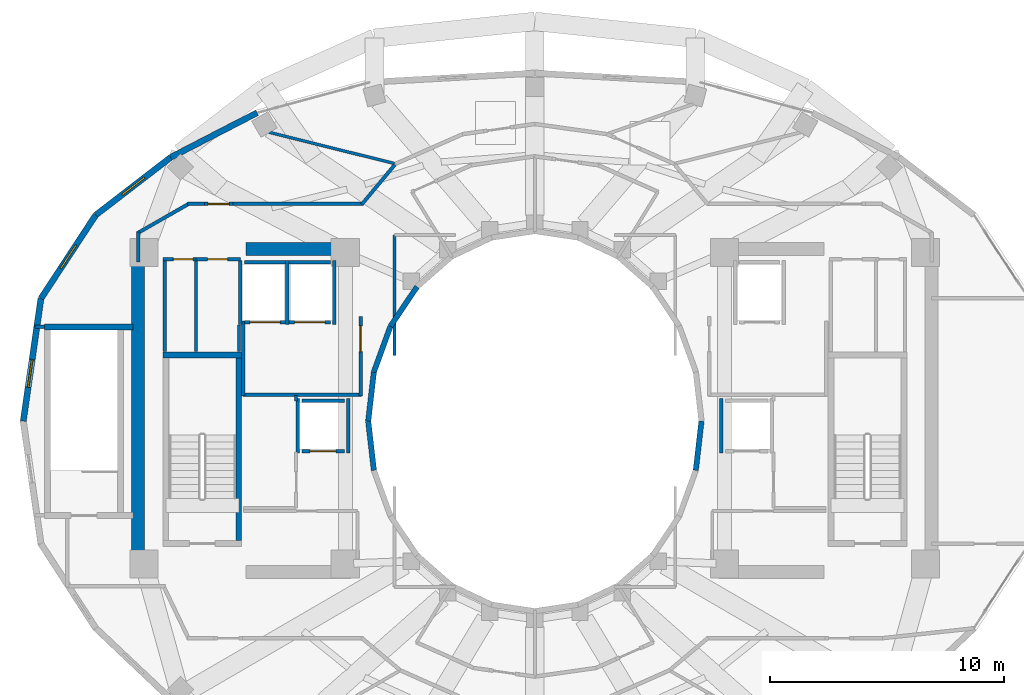
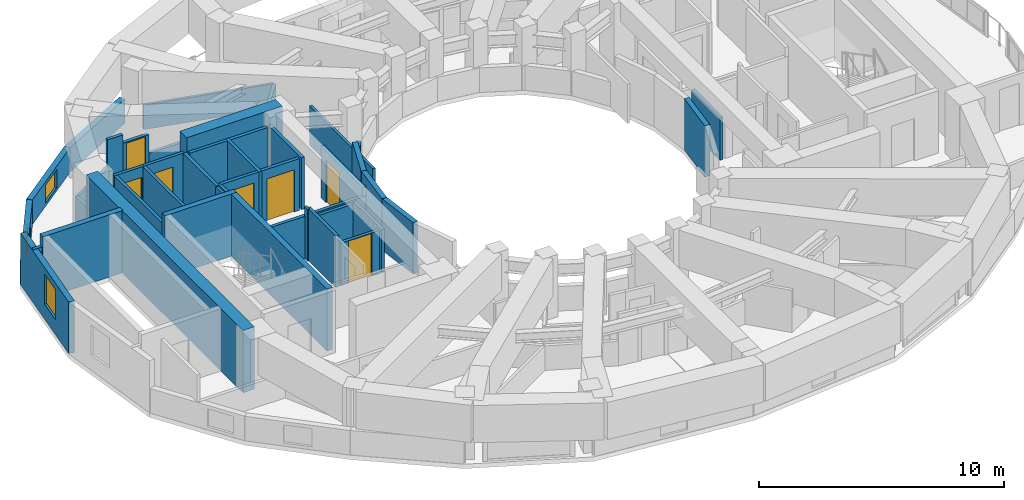
# One storey, part 15 of 20: 44 walls, 7 doors, 3 windows, 10 openings.
"""IFC4 building model written with IfcOpenShell, lengths in metres."""

from ifc_helpers import new_model, si_unit, direction, frame, frame_2d, origin, place, context, subcontext, project, spatial, rectangle, extrude, material, layer, layer_set, type_object, element, fill, save


model = new_model("IFC4")

# Units and contexts
model_context = context("Model", 3, precision=1e-05, world=origin(), true_north=direction((0.0, 1.0)))
body_context = subcontext(model_context, "Body", "Model", "MODEL_VIEW")
ifc_project = project(units=[si_unit("LENGTHUNIT", "METRE"), si_unit("AREAUNIT", "SQUARE_METRE"), si_unit("VOLUMEUNIT", "CUBIC_METRE"), si_unit("PLANEANGLEUNIT", "RADIAN"), si_unit("MASSUNIT", "GRAM", prefix="KILO")], contexts=[model_context])

# Site, building, storey
site_placement = place(None, origin())
site = spatial("IfcSite", under=ifc_project, at=site_placement, CompositionType="ELEMENT")
building_placement = place(site_placement, origin())
building = spatial("IfcBuilding", under=site, at=building_placement, Name="Solvane Sanctuary Tower", CompositionType="ELEMENT")
storey_placement = place(building_placement, frame((0.0, 0.0, 217.10009765625)))
storey = spatial("IfcBuildingStorey", under=building, at=storey_placement, Name="L66", CompositionType="ELEMENT", Elevation=217.10009765625)

# Walls
ifc_material_1 = material(Name="Concrete C50/60", Category="concrete")
ifc_layer_1 = layer(ifc_material_1, 0.550048828125, Name="Concrete C50/60")
ifc_layer_set_1 = layer_set([ifc_layer_1], Name="Concrete C50/60")
wall_type_1 = type_object("IfcWallType", Name="Wall W-CORE-550", PredefinedType="SHEAR", material=ifc_layer_set_1)
wall_1_placement = place(storey_placement, frame((15.050048828125, 17.050048828125, 0.0), z_axis=(0.0, 0.0, 1.0), x_axis=(0.0, 1.0, 0.0)))
element("IfcWall", 1, at=wall_1_placement, inside=storey, type_object=wall_type_1, Name="L66 Core Shear Wall WC-W", PredefinedType="SHEAR", context=body_context, shape_type="SweptSolid", body=[
    extrude(rectangle(XDim=12.800048828125, YDim=0.550048828125, at=frame_2d((6.39990234375, 0.0))), origin(), (0.0, 0.0, 1.0), 3.099853515625),
])
wall_2_placement = place(storey_placement, frame((19.64990234375, 30.35009765625, 0.0), z_axis=(0.0, 0.0, 1.0), x_axis=(1.0, 0.0, 0.0)))
element("IfcWall", 2, at=wall_2_placement, inside=storey, type_object=wall_type_1, Name="L66 Core Shear Wall WC-N", PredefinedType="SHEAR", context=body_context, shape_type="SweptSolid", body=[
    extrude(rectangle(XDim=4.5, YDim=0.550048828125, at=frame_2d((2.25, 0.0))), origin(), (0.0, 0.0, 1.0), 3.099853515625),
])
ifc_material_2 = material(Name="Acoustic Gypsum Partition Board")
ifc_layer_2 = layer(ifc_material_2, 0.14990234375, Name="Acoustic Gypsum Partition Board")
ifc_layer_set_2 = layer_set([ifc_layer_2], Name="Acoustic Gypsum Partition Board")
wall_type_2 = type_object("IfcWallType", Name="Wall W-CORR-150", PredefinedType="PARTITIONING", material=ifc_layer_set_2)
wall_3_placement = place(storey_placement, frame((19.52001953125, 24.1201171875, 0.0), z_axis=(0.0, 0.0, 1.0), x_axis=(1.0, 0.0, 0.0)))
element("IfcWall", 3, at=wall_3_placement, inside=storey, type_object=wall_type_2, Name="L66 West Firefighting Lobby South Wall", PredefinedType="PARTITIONING", context=body_context, shape_type="SweptSolid", body=[
    extrude(rectangle(XDim=5.080078125, YDim=0.14990234375, at=frame_2d((2.5400390625, 0.0))), origin(), (0.0, 0.0, 1.0), 2.119873046875),
])
wall_4_placement = place(storey_placement, frame((19.550048828125, 24.080078125, 0.0), z_axis=(0.0, 0.0, 1.0), x_axis=(0.0, 1.0, 0.0)))
element("IfcWall", 4, at=wall_4_placement, inside=storey, type_object=wall_type_2, Name="L66 West Firefighting Lobby West Wall", PredefinedType="PARTITIONING", context=body_context, shape_type="SweptSolid", body=[
    extrude(rectangle(XDim=3.199951171875, YDim=0.14990234375, at=frame_2d((1.60009765625, 0.0))), origin(), (0.0, 0.0, 1.0), 2.574951171875),
])

# Wall, opening, door
wall_5_placement = place(storey_placement, frame((24.550048828125, 24.080078125, 0.0), z_axis=(0.0, 0.0, 1.0), x_axis=(0.0, 1.0, 0.0)))
wall_5 = element("IfcWall", 5, at=wall_5_placement, inside=storey, type_object=wall_type_2, Name="L66 West Firefighting Lobby East Wall", PredefinedType="PARTITIONING", context=body_context, shape_type="SweptSolid", body=[
    extrude(rectangle(XDim=3.39990234375, YDim=0.14990234375, at=frame_2d((1.699951171875, 0.0))), origin(), (0.0, 0.0, 1.0), 2.574951171875),
])
opening_1_placement = place(wall_5_placement, frame((1.893798828125, 0.0, 0.0)))
opening_1 = element("IfcOpeningElement", 6, at=opening_1_placement, cuts=wall_5, Name="Opening D-L66-04", PredefinedType="OPENING", context=body_context, shape_type="SweptSolid", body=[
    extrude(rectangle(XDim=1.10009765625, YDim=2.10009765625, at=frame_2d((0.550048828125, 1.050048828125))), frame((0.0, 0.0849609375, 0.0), z_axis=(0.0, -1.0, 0.0), x_axis=(1.0, 0.0, 0.0)), (0.0, 0.0, 1.0), 0.169921875),
])
ifc_material_3 = material(Name="Architectural Stainless Steel 316", Category="steel")
door_type_1 = type_object("IfcDoorType", Name="Door D-FFL", OperationType="NOTDEFINED", PredefinedType="DOOR", material=ifc_material_3)
door_1_placement = place(opening_1_placement, origin())
door_1 = element("IfcDoor", 7, at=door_1_placement, inside=storey, type_object=door_type_1, Name="L66 West Firefighting Lobby Fire Door", OperationType="SINGLE_SWING_RIGHT", OverallHeight=2.10009765625, OverallWidth=1.10009765625, PredefinedType="DOOR", context=body_context, shape_type="SweptSolid", body=[
    extrude(rectangle(XDim=1.10009765625, YDim=2.10009765625, at=frame_2d((0.550048828125, 1.050048828125))), frame((0.0, 0.02490234375, 0.0), z_axis=(0.0, -1.0, 0.0), x_axis=(1.0, 0.0, 0.0)), (0.0, 0.0, 1.0), 0.050048828125),
])
fill(opening_1, door_1)

# Walls
wall_6_placement = place(storey_placement, frame((10.639892578125, 27.030029296875, 0.0), z_axis=(0.0, 0.0, 1.0), x_axis=(1.0, 0.0, 0.0)))
element("IfcWall", 8, at=wall_6_placement, inside=storey, type_object=wall_type_2, Name="L66 NW Corner Closer 1", PredefinedType="PARTITIONING", context=body_context, shape_type="SweptSolid", body=[
    extrude(rectangle(XDim=0.400146484375, YDim=0.14990234375, at=frame_2d((0.2001953125, 0.0))), origin(), (0.0, 0.0, 1.0), 2.574951171875),
])
wall_7_placement = place(storey_placement, frame((15.050048828125, 29.800048828125, 0.0), z_axis=(0.0, 0.0, 1.0), x_axis=(0.0, 1.0, 0.0)))
element("IfcWall", 9, at=wall_7_placement, inside=storey, type_object=wall_type_2, Name="L66 NW Corner Closer 2", PredefinedType="PARTITIONING", context=body_context, shape_type="SweptSolid", body=[
    extrude(rectangle(XDim=1.2900390625, YDim=0.14990234375, at=frame_2d((0.64501953125, 0.0))), origin(), (0.0, 0.0, 1.0), 1.219970703125),
])
wall_8_placement = place(storey_placement, frame((26.015869140625, 33.95458984375, 0.0), z_axis=(0.0, 0.0, 1.0), x_axis=(-0.64030392053, -0.76812166312, 0.0)))
element("IfcWall", 10, at=wall_8_placement, inside=storey, type_object=wall_type_2, Name="L66 NW Corner Throat Wall", PredefinedType="PARTITIONING", context=body_context, shape_type="SweptSolid", body=[
    extrude(rectangle(XDim=2.2099609375, YDim=0.14990234375, at=frame_2d((1.10498046875, 0.0))), origin(), (0.0, 0.0, 1.0), 1.219970703125),
])
wall_9_placement = place(storey_placement, frame((17.14990234375, 32.280029296875, 0.0), z_axis=(0.0, 0.0, 1.0), x_axis=(1.0, 0.0, 0.0)))
element("IfcWall", 11, at=wall_9_placement, inside=storey, type_object=wall_type_2, Name="L66 NW Corner Corridor Wall", PredefinedType="PARTITIONING", context=body_context, shape_type="SweptSolid", body=[
    extrude(rectangle(XDim=0.72802734375, YDim=0.14990234375, at=frame_2d((0.364013671875, 0.0))), origin(), (0.0, 0.0, 1.0), 2.574951171875),
])

# Wall, opening, door
wall_10_placement = place(storey_placement, frame((17.8779296875, 32.280029296875, 0.0), z_axis=(0.0, 0.0, 1.0), x_axis=(1.0, 0.0, 0.0)))
wall_10 = element("IfcWall", 12, at=wall_10_placement, inside=storey, type_object=wall_type_2, Name="L66 NW Corner Corridor Wall", PredefinedType="PARTITIONING", context=body_context, shape_type="SweptSolid", body=[
    extrude(rectangle(XDim=1.219970703125, YDim=0.14990234375, at=frame_2d((0.60986328125, 0.0))), origin(), (0.0, 0.0, 1.0), 2.159912109375),
])
opening_2_placement = place(wall_10_placement, frame((0.159912109375, 0.0, 0.0)))
opening_2 = element("IfcOpeningElement", 13, at=opening_2_placement, cuts=wall_10, Name="Opening D-L66-20", PredefinedType="OPENING", context=body_context, shape_type="SweptSolid", body=[
    extrude(rectangle(XDim=0.89990234375, YDim=2.10009765625, at=frame_2d((0.449951171875, 1.050048828125))), frame((0.0, 0.0849609375, 0.0), z_axis=(0.0, -1.0, 0.0), x_axis=(1.0, 0.0, 0.0)), (0.0, 0.0, 1.0), 0.169921875),
])
ifc_material_4 = material(Name="Engineered Tropical Hardwood", Category="wood")
door_type_2 = type_object("IfcDoorType", Name="Door D-WET-900", OperationType="NOTDEFINED", PredefinedType="DOOR", material=ifc_material_4)
door_2_placement = place(opening_2_placement, origin())
door_2 = element("IfcDoor", 14, at=door_2_placement, inside=storey, type_object=door_type_2, Name="L66 NW Corner Salon Door", OperationType="SINGLE_SWING_RIGHT", OverallHeight=2.10009765625, OverallWidth=0.89990234375, PredefinedType="DOOR", context=body_context, shape_type="SweptSolid", body=[
    extrude(rectangle(XDim=0.89990234375, YDim=2.10009765625, at=frame_2d((0.449951171875, 1.050048828125))), frame((0.0, 0.02490234375, 0.0), z_axis=(0.0, -1.0, 0.0), x_axis=(1.0, 0.0, 0.0)), (0.0, 0.0, 1.0), 0.050048828125),
])
fill(opening_2, door_2)

# Walls
wall_11_placement = place(storey_placement, frame((19.097900390625, 32.280029296875, 0.0), z_axis=(0.0, 0.0, 1.0), x_axis=(1.0, 0.0, 0.0)))
element("IfcWall", 15, at=wall_11_placement, inside=storey, type_object=wall_type_2, Name="L66 NW Corner Corridor Wall", PredefinedType="PARTITIONING", context=body_context, shape_type="SweptSolid", body=[
    extrude(rectangle(XDim=5.572021484375, YDim=0.14990234375, at=frame_2d((2.7861328125, 0.0))), origin(), (0.0, 0.0, 1.0), 1.219970703125),
])
wall_12_placement = place(storey_placement, frame((17.243408203125, 32.3046875, 0.0), z_axis=(0.0, 0.0, 1.0), x_axis=(-0.867991349648, -0.496579315857, 0.0)))
element("IfcWall", 16, at=wall_12_placement, inside=storey, type_object=wall_type_2, Name="L66 NW Corner Wing Wall", PredefinedType="PARTITIONING", context=body_context, shape_type="SweptSolid", body=[
    extrude(rectangle(XDim=2.56689453125, YDim=0.14990234375, at=frame_2d((1.283447265625, 0.0))), origin(), (0.0, 0.0, 1.0), 1.219970703125),
])
ifc_material_5 = material(Name="Precast concrete C40/50", Category="concrete")
ifc_layer_3 = layer(ifc_material_5, 0.260009765625, Name="Precast concrete C40/50")
ifc_layer_set_3 = layer_set([ifc_layer_3], Name="Precast concrete C40/50")
wall_type_3 = type_object("IfcWallType", Name="Wall W-EXT-250", PredefinedType="STANDARD", material=ifc_layer_set_3)
wall_13_placement = place(storey_placement, frame((20.1298828125, 36.177001953125, 0.0), z_axis=(0.0, 0.0, 1.0), x_axis=(-0.88849146803, -0.458893137057, 0.0)))
element("IfcWall", 17, at=wall_13_placement, inside=storey, type_object=wall_type_3, Name="L66 Ceramic-Printed Facade Wall 08", PredefinedType="STANDARD", context=body_context, shape_type="SweptSolid", body=[
    extrude(rectangle(XDim=4.150390625, YDim=0.260009765625, at=frame_2d((2.0751953125, 0.0))), origin(), (0.0, 0.0, 1.0), 1.219970703125),
])

# Wall, opening, window
wall_14_placement = place(storey_placement, frame((16.4423828125, 34.2724609375, 0.0), z_axis=(0.0, 0.0, 1.0), x_axis=(-0.792713817907, -0.609593965603, 0.0)))
wall_14 = element("IfcWall", 18, at=wall_14_placement, inside=storey, type_object=wall_type_3, Name="L66 Ceramic-Printed Facade Wall 09", PredefinedType="STANDARD", context=body_context, shape_type="SweptSolid", body=[
    extrude(rectangle(XDim=4.041015625, YDim=0.260009765625, at=frame_2d((2.0205078125, 0.0))), origin(), (0.0, 0.0, 1.0), 1.219970703125),
])
opening_3_placement = place(wall_14_placement, frame((1.42041015625, 0.0, 0.14990234375)))
opening_3 = element("IfcOpeningElement", 19, at=opening_3_placement, cuts=wall_14, Name="Opening WN-OPER-1200", PredefinedType="OPENING", context=body_context, shape_type="SweptSolid", body=[
    extrude(rectangle(XDim=1.199951171875, YDim=0.89990234375, at=frame_2d((0.60009765625, 0.449951171875))), frame((0.0, 0.139892578125, 0.0), z_axis=(0.0, -1.0, 0.0), x_axis=(1.0, 0.0, 0.0)), (0.0, 0.0, 1.0), 0.280029296875),
])
ifc_material_6 = material(Name="Dark Ceramic-Fritted Low-E Glass", Category="glass")
window_type = type_object("IfcWindowType", Name="Window WN-OPER-1200", PartitioningType="SINGLE_PANEL", PredefinedType="WINDOW", material=ifc_material_6)
window_1_placement = place(opening_3_placement, origin())
window_1 = element("IfcWindow", 20, at=window_1_placement, inside=storey, type_object=window_type, Name="L66 Operable Facade Window 09", OverallHeight=0.89990234375, OverallWidth=1.199951171875, PartitioningType="SINGLE_PANEL", PredefinedType="WINDOW", context=body_context, shape_type="SweptSolid", body=[
    extrude(rectangle(XDim=1.199951171875, YDim=0.89990234375, at=frame_2d((0.60009765625, 0.449951171875))), frame((0.0, 0.030029296875, 0.0), z_axis=(0.0, -1.0, 0.0), x_axis=(1.0, 0.0, 0.0)), (0.0, 0.0, 1.0), 0.06005859375),
])
fill(opening_3, window_1)

wall_15_placement = place(storey_placement, frame((13.239013671875, 31.80908203125, 0.0), z_axis=(0.0, 0.0, 1.0), x_axis=(-0.548776305075, -0.835969238064, 0.0)))
wall_15 = element("IfcWall", 21, at=wall_15_placement, inside=storey, type_object=wall_type_3, Name="L66 Ceramic-Printed Facade Wall 10", PredefinedType="STANDARD", context=body_context, shape_type="SweptSolid", body=[
    extrude(rectangle(XDim=4.270751953125, YDim=0.260009765625, at=frame_2d((2.13525390625, 0.0))), origin(), (0.0, 0.0, 1.0), 1.219970703125),
])
opening_4_placement = place(wall_15_placement, frame((1.535400390625, 0.0, 0.14990234375)))
opening_4 = element("IfcOpeningElement", 22, at=opening_4_placement, cuts=wall_15, Name="Opening WN-OPER-1200", PredefinedType="OPENING", context=body_context, shape_type="SweptSolid", body=[
    extrude(rectangle(XDim=1.199951171875, YDim=0.89990234375, at=frame_2d((0.60009765625, 0.449951171875))), frame((0.0, 0.139892578125, 0.0), z_axis=(0.0, -1.0, 0.0), x_axis=(1.0, 0.0, 0.0)), (0.0, 0.0, 1.0), 0.280029296875),
])
window_2_placement = place(opening_4_placement, origin())
window_2 = element("IfcWindow", 23, at=window_2_placement, inside=storey, type_object=window_type, Name="L66 Operable Facade Window 10", OverallHeight=0.89990234375, OverallWidth=1.199951171875, PartitioningType="SINGLE_PANEL", PredefinedType="WINDOW", context=body_context, shape_type="SweptSolid", body=[
    extrude(rectangle(XDim=1.199951171875, YDim=0.89990234375, at=frame_2d((0.60009765625, 0.449951171875))), frame((0.0, 0.030029296875, 0.0), z_axis=(0.0, -1.0, 0.0), x_axis=(1.0, 0.0, 0.0)), (0.0, 0.0, 1.0), 0.06005859375),
])
fill(opening_4, window_2)

wall_16_placement = place(storey_placement, frame((10.895263671875, 28.23876953125, 0.0), z_axis=(0.0, 0.0, 1.0), x_axis=(-0.142712754019, -0.989764148593, 0.0)))
wall_16 = element("IfcWall", 24, at=wall_16_placement, inside=storey, type_object=wall_type_3, Name="L66 Ceramic-Printed Facade Wall 11", PredefinedType="STANDARD", context=body_context, shape_type="SweptSolid", body=[
    extrude(rectangle(XDim=5.29296875, YDim=0.260009765625, at=frame_2d((2.646484375, 0.0))), origin(), (0.0, 0.0, 1.0), 2.56982421875),
])
opening_5_placement = place(wall_16_placement, frame((2.635009765625, 0.0, 0.75)))
opening_5 = element("IfcOpeningElement", 25, at=opening_5_placement, cuts=wall_16, Name="Opening WN-OPER-1200", PredefinedType="OPENING", context=body_context, shape_type="SweptSolid", body=[
    extrude(rectangle(XDim=1.199951171875, YDim=1.5, at=frame_2d((0.60009765625, 0.75))), frame((0.0, 0.139892578125, 0.0), z_axis=(0.0, -1.0, 0.0), x_axis=(1.0, 0.0, 0.0)), (0.0, 0.0, 1.0), 0.280029296875),
])
window_3_placement = place(opening_5_placement, origin())
window_3 = element("IfcWindow", 26, at=window_3_placement, inside=storey, type_object=window_type, Name="L66 Operable Facade Window 11", OverallHeight=1.5, OverallWidth=1.199951171875, PartitioningType="SINGLE_PANEL", PredefinedType="WINDOW", context=body_context, shape_type="SweptSolid", body=[
    extrude(rectangle(XDim=1.199951171875, YDim=1.5, at=frame_2d((0.60009765625, 0.75))), frame((0.0, 0.030029296875, 0.0), z_axis=(0.0, -1.0, 0.0), x_axis=(1.0, 0.0, 0.0)), (0.0, 0.0, 1.0), 0.06005859375),
])
fill(opening_5, window_3)

# Walls
ifc_layer_4 = layer(ifc_material_5, 0.22998046875, Name="Precast concrete C40/50")
ifc_layer_set_4 = layer_set([ifc_layer_4], Name="Precast concrete C40/50")
wall_type_4 = type_object("IfcWallType", Name="Wall W-EXT-SP220", PredefinedType="STANDARD", material=ifc_layer_set_4)
wall_17_placement = place(storey_placement, frame((26.96533203125, 28.74169921875, 0.0), z_axis=(0.0, 0.0, 1.0), x_axis=(-0.558197800898, -0.829707909492, 0.0)))
element("IfcWall", 27, at=wall_17_placement, inside=storey, type_object=wall_type_4, Name="L66 Central Light-Well Wall 09", PredefinedType="STANDARD", context=body_context, shape_type="SweptSolid", body=[
    extrude(rectangle(XDim=2.02685546875, YDim=0.22998046875, at=frame_2d((1.013427734375, 0.0))), origin(), (0.0, 0.0, 1.0), 1.219970703125),
])
wall_18_placement = place(storey_placement, frame((25.833984375, 27.06005859375, 0.0), z_axis=(0.0, 0.0, 1.0), x_axis=(-0.341423187295, -0.93990968033, 0.0)))
element("IfcWall", 28, at=wall_18_placement, inside=storey, type_object=wall_type_4, Name="L66 Central Light-Well Wall 10", PredefinedType="STANDARD", context=body_context, shape_type="SweptSolid", body=[
    extrude(rectangle(XDim=2.083740234375, YDim=0.22998046875, at=frame_2d((1.0419921875, 0.0))), origin(), (0.0, 0.0, 1.0), 2.559814453125),
])
for number, where, z_axis, x_axis, name in (
    (29, (25.12255859375, 25.1015625, 0.0), (0.0, 0.0, 1.0), (-0.114711713601, -0.993398823617, 0.0), "L66 Central Light-Well Wall 11"),
    (30, (24.8798828125, 23.0, 0.0), (0.0, 0.0, 1.0), (0.114711713601, -0.993398823617, 0.0), "L66 Central Light-Well Wall 12"),
    (31, (38.87744140625, 20.8984375, 0.0), (0.0, 0.0, 1.0), (0.114711713601, 0.993398823617, 0.0), "L66 Central Light-Well Wall 23"),
):
    element("IfcWall", number, at=place(storey_placement, frame(where, z_axis=z_axis, x_axis=x_axis)), inside=storey, type_object=wall_type_4, Name=name, PredefinedType="STANDARD", context=body_context, shape_type="SweptSolid", body=[
        extrude(rectangle(XDim=2.115478515625, YDim=0.22998046875, at=frame_2d((1.0576171875, 0.0))), origin(), (0.0, 0.0, 1.0), 2.559814453125),
    ])
ifc_layer_5 = layer(ifc_material_2, 0.125, Name="Acoustic Gypsum Partition Board")
ifc_layer_set_5 = layer_set([ifc_layer_5], Name="Acoustic Gypsum Partition Board")
wall_type_5 = type_object("IfcWallType", Name="Wall W-PART-125", PredefinedType="PARTITIONING", material=ifc_layer_set_5)
wall_19_placement = place(storey_placement, frame((21.800048828125, 23.85009765625, 0.0), z_axis=(0.0, 0.0, 1.0), x_axis=(0.0, 1.0, 0.0)))
element("IfcWall", 32, at=wall_19_placement, inside=storey, type_object=wall_type_5, Name="L66 Reclaimed Room Dividing Wall PMW", PredefinedType="PARTITIONING", context=body_context, shape_type="SweptSolid", body=[
    extrude(rectangle(XDim=0.25, YDim=0.125, at=frame_2d((0.125, 0.0))), origin(), (0.0, 0.0, 1.0), 2.574951171875),
])
wall_20_placement = place(storey_placement, frame((26.0, 25.800048828125, 0.0), z_axis=(0.0, 0.0, 1.0), x_axis=(0.0, 1.0, 0.0)))
element("IfcWall", 33, at=wall_20_placement, inside=storey, type_object=wall_type_5, Name="L66 Bridge Alcove Wall 1", PredefinedType="PARTITIONING", context=body_context, shape_type="SweptSolid", body=[
    extrude(rectangle(XDim=5.159912109375, YDim=0.125, at=frame_2d((2.580078125, 0.0))), origin(), (0.0, 0.0, 1.0), 1.951904296875),
])
wall_21_placement = place(storey_placement, frame((25.99755859375, 34.010009765625, 0.0), z_axis=(0.0, 0.0, 1.0), x_axis=(-0.970445810114, 0.241319144769, 0.0)))
element("IfcWall", 34, at=wall_21_placement, inside=storey, type_object=wall_type_5, Name="L66 Radial Compartment Wall 120", PredefinedType="PARTITIONING", context=body_context, shape_type="SweptSolid", body=[
    extrude(rectangle(XDim=5.52587890625, YDim=0.125, at=frame_2d((2.762939453125, 0.0))), origin(), (0.0, 0.0, 1.0), 1.219970703125),
])

# Wall, opening, door
ifc_layer_6 = layer(ifc_material_1, 0.14990234375, Name="Concrete C50/60")
ifc_layer_set_6 = layer_set([ifc_layer_6], Name="Concrete C50/60")
wall_type_6 = type_object("IfcWallType", Name="Wall W-SHAFT-150", PredefinedType="SOLIDWALL", material=ifc_layer_set_6)
wall_22_placement = place(storey_placement, frame((22.0400390625, 21.719970703125, 0.0), z_axis=(0.0, 0.0, 1.0), x_axis=(1.0, 0.0, 0.0)))
wall_22 = element("IfcWall", 35, at=wall_22_placement, inside=storey, type_object=wall_type_6, Name="L66 PH-1 Lift Shaft Wall F", PredefinedType="SOLIDWALL", context=body_context, shape_type="SweptSolid", body=[
    extrude(rectangle(XDim=1.820068359375, YDim=0.14990234375, at=frame_2d((0.91015625, 0.0))), origin(), (0.0, 0.0, 1.0), 2.119873046875),
])
opening_6_placement = place(wall_22_placement, frame((0.360107421875, 0.0, 0.0)))
opening_6 = element("IfcOpeningElement", 36, at=opening_6_placement, cuts=wall_22, Name="Opening LD-L66-01", PredefinedType="OPENING", context=body_context, shape_type="SweptSolid", body=[
    extrude(rectangle(XDim=1.10009765625, YDim=2.10009765625, at=frame_2d((0.550048828125, 1.050048828125))), frame((0.0, 0.0849609375, 0.0), z_axis=(0.0, -1.0, 0.0), x_axis=(1.0, 0.0, 0.0)), (0.0, 0.0, 1.0), 0.169921875),
])
door_type_3 = type_object("IfcDoorType", Name="Door LD-PASS-1100", OperationType="NOTDEFINED", PredefinedType="DOOR", material=ifc_material_3)
door_3_placement = place(opening_6_placement, origin())
door_3 = element("IfcDoor", 37, at=door_3_placement, inside=storey, type_object=door_type_3, Name="L66 PH-1 Lift Landing Door", OperationType="DOUBLE_DOOR_SLIDING", OverallHeight=2.10009765625, OverallWidth=1.10009765625, PredefinedType="DOOR", context=body_context, shape_type="SweptSolid", body=[
    extrude(rectangle(XDim=1.10009765625, YDim=2.10009765625, at=frame_2d((0.550048828125, 1.050048828125))), frame((0.0, 0.02490234375, 0.0), z_axis=(0.0, -1.0, 0.0), x_axis=(1.0, 0.0, 0.0)), (0.0, 0.0, 1.0), 0.050048828125),
])
fill(opening_6, door_3)

# Walls
wall_23_placement = place(storey_placement, frame((22.0400390625, 23.8798828125, 0.0), z_axis=(0.0, 0.0, 1.0), x_axis=(1.0, 0.0, 0.0)))
element("IfcWall", 38, at=wall_23_placement, inside=storey, type_object=wall_type_6, Name="L66 PH-1 Lift Shaft Wall B", PredefinedType="SOLIDWALL", context=body_context, shape_type="SweptSolid", body=[
    extrude(rectangle(XDim=1.820068359375, YDim=0.14990234375, at=frame_2d((0.91015625, 0.0))), origin(), (0.0, 0.0, 1.0), 2.119873046875),
])
wall_24_placement = place(storey_placement, frame((21.8701171875, 21.639892578125, 0.0), z_axis=(0.0, 0.0, 1.0), x_axis=(0.0, 1.0, 0.0)))
element("IfcWall", 39, at=wall_24_placement, inside=storey, type_object=wall_type_6, Name="L66 PH-1 Lift Shaft Wall S1", PredefinedType="SOLIDWALL", context=body_context, shape_type="SweptSolid", body=[
    extrude(rectangle(XDim=2.320068359375, YDim=0.14990234375, at=frame_2d((1.16015625, 0.0))), origin(), (0.0, 0.0, 1.0), 2.574951171875),
])
for number, where, z_axis, x_axis, name in (
    (40, (24.030029296875, 21.639892578125, 0.0), (0.0, 0.0, 1.0), (0.0, 1.0, 0.0), "L66 PH-1 Lift Shaft Wall S2"),
    (41, (39.969970703125, 21.639892578125, 0.0), (0.0, 0.0, 1.0), (0.0, 1.0, 0.0), "L66 PH-2 Lift Shaft Wall S1"),
):
    element("IfcWall", number, at=place(storey_placement, frame(where, z_axis=z_axis, x_axis=x_axis)), inside=storey, type_object=wall_type_6, Name=name, PredefinedType="SOLIDWALL", context=body_context, shape_type="SweptSolid", body=[
        extrude(rectangle(XDim=2.320068359375, YDim=0.14990234375, at=frame_2d((1.16015625, 0.0))), origin(), (0.0, 0.0, 1.0), 2.119873046875),
    ])

# Wall, opening, door
wall_25_placement = place(storey_placement, frame((19.590087890625, 27.219970703125, 0.0), z_axis=(0.0, 0.0, 1.0), x_axis=(1.0, 0.0, 0.0)))
wall_25 = element("IfcWall", 42, at=wall_25_placement, inside=storey, type_object=wall_type_6, Name="L66 FFL-1 Lift Shaft Wall F", PredefinedType="SOLIDWALL", context=body_context, shape_type="SweptSolid", body=[
    extrude(rectangle(XDim=1.760009765625, YDim=0.14990234375, at=frame_2d((0.8798828125, 0.0))), origin(), (0.0, 0.0, 1.0), 2.574951171875),
])
opening_7_placement = place(wall_25_placement, frame((0.22998046875, 0.0, 0.0)))
opening_7 = element("IfcOpeningElement", 43, at=opening_7_placement, cuts=wall_25, Name="Opening LD-L66-03", PredefinedType="OPENING", context=body_context, shape_type="SweptSolid", body=[
    extrude(rectangle(XDim=1.300048828125, YDim=2.10009765625, at=frame_2d((0.64990234375, 1.050048828125))), frame((0.0, 0.0849609375, 0.0), z_axis=(0.0, -1.0, 0.0), x_axis=(1.0, 0.0, 0.0)), (0.0, 0.0, 1.0), 0.169921875),
])
door_type_4 = type_object("IfcDoorType", Name="Door LD-FFL-1300", OperationType="NOTDEFINED", PredefinedType="DOOR", material=ifc_material_3)
door_4_placement = place(opening_7_placement, origin())
door_4 = element("IfcDoor", 44, at=door_4_placement, inside=storey, type_object=door_type_4, Name="L66 FFL-1 Lift Landing Door", OperationType="DOUBLE_DOOR_SLIDING", OverallHeight=2.10009765625, OverallWidth=1.300048828125, PredefinedType="DOOR", context=body_context, shape_type="SweptSolid", body=[
    extrude(rectangle(XDim=1.300048828125, YDim=2.10009765625, at=frame_2d((0.64990234375, 1.050048828125))), frame((0.0, 0.02490234375, 0.0), z_axis=(0.0, -1.0, 0.0), x_axis=(1.0, 0.0, 0.0)), (0.0, 0.0, 1.0), 0.050048828125),
])
fill(opening_7, door_4)

# Walls
wall_26_placement = place(storey_placement, frame((19.590087890625, 29.780029296875, 0.0), z_axis=(0.0, 0.0, 1.0), x_axis=(1.0, 0.0, 0.0)))
element("IfcWall", 45, at=wall_26_placement, inside=storey, type_object=wall_type_6, Name="L66 FFL-1 Lift Shaft Wall B", PredefinedType="SOLIDWALL", context=body_context, shape_type="SweptSolid", body=[
    extrude(rectangle(XDim=1.760009765625, YDim=0.14990234375, at=frame_2d((0.8798828125, 0.0))), origin(), (0.0, 0.0, 1.0), 2.574951171875),
])
for number, where, z_axis, x_axis, name in (
    (46, (19.419921875, 27.139892578125, 0.0), (0.0, 0.0, 1.0), (0.0, 1.0, 0.0), "L66 FFL-1 Lift Shaft Wall S1"),
    (47, (21.425048828125, 27.139892578125, 0.0), (0.0, 0.0, 1.0), (0.0, 1.0, 0.0), "L66 FFL-1 Lift Shaft Wall S2"),
):
    element("IfcWall", number, at=place(storey_placement, frame(where, z_axis=z_axis, x_axis=x_axis)), inside=storey, type_object=wall_type_6, Name=name, PredefinedType="SOLIDWALL", context=body_context, shape_type="SweptSolid", body=[
        extrude(rectangle(XDim=2.72021484375, YDim=0.14990234375, at=frame_2d((1.360107421875, 0.0))), origin(), (0.0, 0.0, 1.0), 2.574951171875),
    ])

# Wall, opening, door
wall_27_placement = place(storey_placement, frame((21.5, 27.219970703125, 0.0), z_axis=(0.0, 0.0, 1.0), x_axis=(1.0, 0.0, 0.0)))
wall_27 = element("IfcWall", 48, at=wall_27_placement, inside=storey, type_object=wall_type_6, Name="L66 SVL-1 Lift Shaft Wall F", PredefinedType="SOLIDWALL", context=body_context, shape_type="SweptSolid", body=[
    extrude(rectangle(XDim=1.760009765625, YDim=0.14990234375, at=frame_2d((0.8798828125, 0.0))), origin(), (0.0, 0.0, 1.0), 2.574951171875),
])
opening_8_placement = place(wall_27_placement, frame((0.22998046875, 0.0, 0.0)))
opening_8 = element("IfcOpeningElement", 49, at=opening_8_placement, cuts=wall_27, Name="Opening LD-L66-04", PredefinedType="OPENING", context=body_context, shape_type="SweptSolid", body=[
    extrude(rectangle(XDim=1.300048828125, YDim=2.10009765625, at=frame_2d((0.64990234375, 1.050048828125))), frame((0.0, 0.0849609375, 0.0), z_axis=(0.0, -1.0, 0.0), x_axis=(1.0, 0.0, 0.0)), (0.0, 0.0, 1.0), 0.169921875),
])
door_5_placement = place(opening_8_placement, origin())
door_5 = element("IfcDoor", 50, at=door_5_placement, inside=storey, type_object=door_type_4, Name="L66 SVL-1 Lift Landing Door", OperationType="DOUBLE_DOOR_SLIDING", OverallHeight=2.10009765625, OverallWidth=1.300048828125, PredefinedType="DOOR", context=body_context, shape_type="SweptSolid", body=[
    extrude(rectangle(XDim=1.300048828125, YDim=2.10009765625, at=frame_2d((0.64990234375, 1.050048828125))), frame((0.0, 0.02490234375, 0.0), z_axis=(0.0, -1.0, 0.0), x_axis=(1.0, 0.0, 0.0)), (0.0, 0.0, 1.0), 0.050048828125),
])
fill(opening_8, door_5)

# Walls
wall_28_placement = place(storey_placement, frame((21.5, 29.780029296875, 0.0), z_axis=(0.0, 0.0, 1.0), x_axis=(1.0, 0.0, 0.0)))
element("IfcWall", 51, at=wall_28_placement, inside=storey, type_object=wall_type_6, Name="L66 SVL-1 Lift Shaft Wall B", PredefinedType="SOLIDWALL", context=body_context, shape_type="SweptSolid", body=[
    extrude(rectangle(XDim=1.760009765625, YDim=0.14990234375, at=frame_2d((0.8798828125, 0.0))), origin(), (0.0, 0.0, 1.0), 2.574951171875),
])
wall_29_placement = place(storey_placement, frame((23.429931640625, 27.139892578125, 0.0), z_axis=(0.0, 0.0, 1.0), x_axis=(0.0, 1.0, 0.0)))
element("IfcWall", 52, at=wall_29_placement, inside=storey, type_object=wall_type_6, Name="L66 SVL-1 Lift Shaft Wall S2", PredefinedType="SOLIDWALL", context=body_context, shape_type="SweptSolid", body=[
    extrude(rectangle(XDim=2.72021484375, YDim=0.14990234375, at=frame_2d((1.360107421875, 0.0))), origin(), (0.0, 0.0, 1.0), 2.574951171875),
])
ifc_layer_7 = layer(ifc_material_1, 0.25, Name="Concrete C50/60")
ifc_layer_set_7 = layer_set([ifc_layer_7], Name="Concrete C50/60")
wall_type_7 = type_object("IfcWallType", Name="Wall W-SHAFT-250", PredefinedType="SOLIDWALL", material=ifc_layer_set_7)
wall_30_placement = place(storey_placement, frame((16.10498046875, 25.830078125, 0.0), z_axis=(0.0, 0.0, 1.0), x_axis=(1.0, 0.0, 0.0)))
element("IfcWall", 53, at=wall_30_placement, inside=storey, type_object=wall_type_7, Name="L66 ST-1 Load-Bearing Shaft Wall N", PredefinedType="SOLIDWALL", context=body_context, shape_type="SweptSolid", body=[
    extrude(rectangle(XDim=3.3701171875, YDim=0.25, at=frame_2d((1.68505859375, 0.0))), origin(), (0.0, 0.0, 1.0), 3.099853515625),
])
wall_31_placement = place(storey_placement, frame((19.35009765625, 17.89501953125, 0.0), z_axis=(0.0, 0.0, 1.0), x_axis=(0.0, 1.0, 0.0)))
element("IfcWall", 54, at=wall_31_placement, inside=storey, type_object=wall_type_7, Name="L66 ST-1 Load-Bearing Shaft Wall E", PredefinedType="SOLIDWALL", context=body_context, shape_type="SweptSolid", body=[
    extrude(rectangle(XDim=7.81005859375, YDim=0.25, at=frame_2d((3.905029296875, 0.0))), origin(), (0.0, 0.0, 1.0), 3.099853515625),
])
wall_32_placement = place(storey_placement, frame((11.044921875, 27.030029296875, 0.0), z_axis=(0.0, 0.0, 1.0), x_axis=(1.0, 0.0, 0.0)))
element("IfcWall", 55, at=wall_32_placement, inside=storey, type_object=wall_type_7, Name="L66 ST-3 Load-Bearing Shaft Wall N", PredefinedType="SOLIDWALL", context=body_context, shape_type="SweptSolid", body=[
    extrude(rectangle(XDim=3.781982421875, YDim=0.25, at=frame_2d((1.89111328125, 0.0))), origin(), (0.0, 0.0, 1.0), 3.099853515625),
])

# Wall, opening, door
ifc_layer_8 = layer(ifc_material_2, 0.139892578125, Name="Acoustic Gypsum Partition Board")
ifc_layer_set_8 = layer_set([ifc_layer_8], Name="Acoustic Gypsum Partition Board")
wall_type_8 = type_object("IfcWallType", Name="Wall W-WET-140", PredefinedType="PLUMBINGWALL", material=ifc_layer_set_8)
wall_33_placement = place(storey_placement, frame((16.1201171875, 29.919921875, 0.0), z_axis=(0.0, 0.0, 1.0), x_axis=(1.0, 0.0, 0.0)))
wall_33 = element("IfcWall", 56, at=wall_33_placement, inside=storey, type_object=wall_type_8, Name="L66 Core Service Front Wall KW1", PredefinedType="PLUMBINGWALL", context=body_context, shape_type="SweptSolid", body=[
    extrude(rectangle(XDim=1.39990234375, YDim=0.139892578125, at=frame_2d((0.699951171875, 0.0))), origin(), (0.0, 0.0, 1.0), 2.574951171875),
])
opening_9_placement = place(wall_33_placement, frame((0.429931640625, 0.0, 0.0)))
opening_9 = element("IfcOpeningElement", 57, at=opening_9_placement, cuts=wall_33, Name="Opening D-L66-10", PredefinedType="OPENING", context=body_context, shape_type="SweptSolid", body=[
    extrude(rectangle(XDim=0.85009765625, YDim=2.050048828125, at=frame_2d((0.425048828125, 1.02490234375))), frame((0.0, 0.079833984375, 0.0), z_axis=(0.0, -1.0, 0.0), x_axis=(1.0, 0.0, 0.0)), (0.0, 0.0, 1.0), 0.159912109375),
])
door_type_5 = type_object("IfcDoorType", Name="Door D-RISER", OperationType="NOTDEFINED", PredefinedType="DOOR", material=ifc_material_3)
door_6_placement = place(opening_9_placement, origin())
door_6 = element("IfcDoor", 58, at=door_6_placement, inside=storey, type_object=door_type_5, Name="L66 Core Service Room Door KW1-1", OperationType="SINGLE_SWING_RIGHT", OverallHeight=2.050048828125, OverallWidth=0.85009765625, PredefinedType="DOOR", context=body_context, shape_type="SweptSolid", body=[
    extrude(rectangle(XDim=0.85009765625, YDim=2.050048828125, at=frame_2d((0.425048828125, 1.02490234375))), frame((0.0, 0.02490234375, 0.0), z_axis=(0.0, -1.0, 0.0), x_axis=(1.0, 0.0, 0.0)), (0.0, 0.0, 1.0), 0.050048828125),
])
fill(opening_9, door_6)

# Walls
for number, where, z_axis, x_axis, name in (
    (59, (16.179931640625, 25.97998046875, 0.0), (0.0, 0.0, 1.0), (0.0, 1.0, 0.0), "L66 Core Service Side Wall KW1-1"),
    (60, (17.52001953125, 25.97998046875, 0.0), (0.0, 0.0, 1.0), (0.0, 1.0, 0.0), "L66 Core Service Side Wall KW1-2"),
):
    element("IfcWall", number, at=place(storey_placement, frame(where, z_axis=z_axis, x_axis=x_axis)), inside=storey, type_object=wall_type_8, Name=name, PredefinedType="PLUMBINGWALL", context=body_context, shape_type="SweptSolid", body=[
        extrude(rectangle(XDim=3.880126953125, YDim=0.139892578125, at=frame_2d((1.93994140625, 0.0))), origin(), (0.0, 0.0, 1.0), 2.574951171875),
    ])

# Wall, opening, door
wall_34_placement = place(storey_placement, frame((17.52001953125, 29.919921875, 0.0), z_axis=(0.0, 0.0, 1.0), x_axis=(1.0, 0.0, 0.0)))
wall_34 = element("IfcWall", 61, at=wall_34_placement, inside=storey, type_object=wall_type_8, Name="L66 Core Service Front Wall KW2", PredefinedType="PLUMBINGWALL", context=body_context, shape_type="SweptSolid", body=[
    extrude(rectangle(XDim=1.89990234375, YDim=0.139892578125, at=frame_2d((0.949951171875, 0.0))), origin(), (0.0, 0.0, 1.0), 2.574951171875),
])
opening_10_placement = place(wall_34_placement, frame((0.5, 0.0, 0.0)))
opening_10 = element("IfcOpeningElement", 62, at=opening_10_placement, cuts=wall_34, Name="Opening D-L66-11", PredefinedType="OPENING", context=body_context, shape_type="SweptSolid", body=[
    extrude(rectangle(XDim=0.85009765625, YDim=2.050048828125, at=frame_2d((0.425048828125, 1.02490234375))), frame((0.0, 0.079833984375, 0.0), z_axis=(0.0, -1.0, 0.0), x_axis=(1.0, 0.0, 0.0)), (0.0, 0.0, 1.0), 0.159912109375),
])
door_7_placement = place(opening_10_placement, origin())
door_7 = element("IfcDoor", 63, at=door_7_placement, inside=storey, type_object=door_type_5, Name="L66 Core Service Room Door KW2-1", OperationType="SINGLE_SWING_LEFT", OverallHeight=2.050048828125, OverallWidth=0.85009765625, PredefinedType="DOOR", context=body_context, shape_type="SweptSolid", body=[
    extrude(rectangle(XDim=0.85009765625, YDim=2.050048828125, at=frame_2d((0.425048828125, 1.02490234375))), frame((0.0, 0.02490234375, 0.0), z_axis=(0.0, -1.0, 0.0), x_axis=(1.0, 0.0, 0.0)), (0.0, 0.0, 1.0), 0.050048828125),
])
fill(opening_10, door_7)

# Wall
wall_35_placement = place(storey_placement, frame((19.360107421875, 25.97998046875, 0.0), z_axis=(0.0, 0.0, 1.0), x_axis=(0.0, 1.0, 0.0)))
element("IfcWall", 64, at=wall_35_placement, inside=storey, type_object=wall_type_8, Name="L66 Core Service Side Wall KW2-1", PredefinedType="PLUMBINGWALL", context=body_context, shape_type="SweptSolid", body=[
    extrude(rectangle(XDim=1.1201171875, YDim=0.139892578125, at=frame_2d((0.56005859375, 0.0))), origin(), (0.0, 0.0, 1.0), 2.574951171875),
])

save(model, "model.ifc")
